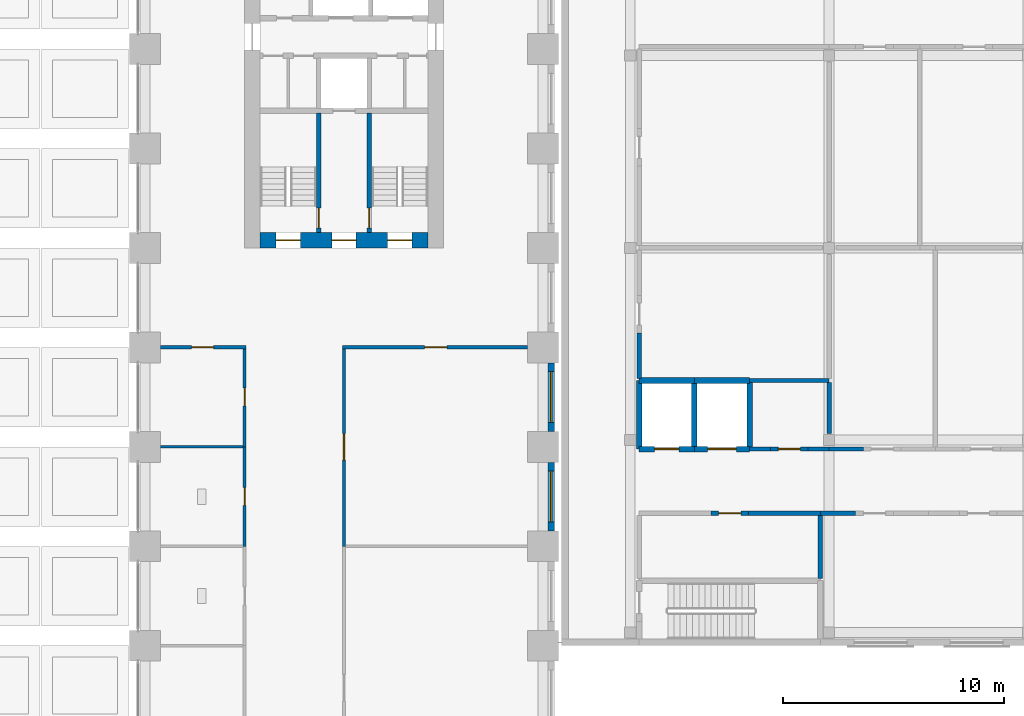
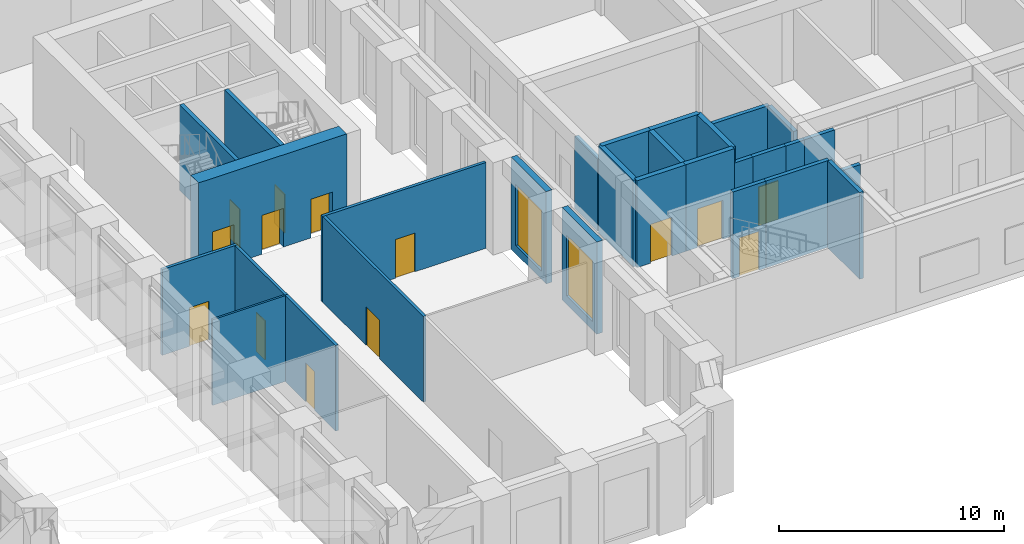
# One storey, part 10 of 24: 29 walls, 14 doors, 2 windows, 16 openings.
"""IFC4 building model written with IfcOpenShell, lengths in metres."""

from ifc_helpers import new_model, si_unit, direction, frame, frame_2d, origin, place, context, subcontext, project, spatial, rectangle, extrude, material, layer, layer_set, type_object, element, fill, save


model = new_model("IFC4")

# Units and contexts
model_context = context("Model", 3, precision=1e-05, world=origin(), true_north=direction((0.0, 1.0)))
body_context = subcontext(model_context, "Body", "Model", "MODEL_VIEW")
ifc_project = project(units=[si_unit("LENGTHUNIT", "METRE"), si_unit("AREAUNIT", "SQUARE_METRE"), si_unit("VOLUMEUNIT", "CUBIC_METRE"), si_unit("PLANEANGLEUNIT", "RADIAN"), si_unit("MASSUNIT", "GRAM", prefix="KILO")], contexts=[model_context])

# Site, building, storey
site_placement = place(None, origin())
site = spatial("IfcSite", under=ifc_project, at=site_placement, CompositionType="ELEMENT")
building_placement = place(site_placement, origin())
building = spatial("IfcBuilding", under=site, at=building_placement, Name="Girih Gate Residences", CompositionType="ELEMENT")
storey_placement = place(building_placement, frame((0.0, 0.0, 16.0)))
storey = spatial("IfcBuildingStorey", under=building, at=storey_placement, Name="L03", CompositionType="ELEMENT", Elevation=16.0)

# Wall, opening, door
ifc_material_1 = material(Name="Gypsum board on steel studs", Category="steel")
ifc_layer_1 = layer(ifc_material_1, 0.14990234375)
ifc_layer_set_1 = layer_set([ifc_layer_1], Name="Compartment wall 150 mm")
wall_type_1 = type_object("IfcWallType", Name="Compartment wall 150 mm", PredefinedType="PARTITIONING", material=ifc_layer_set_1)
wall_1_placement = place(storey_placement, frame((36.0, 13.5, 0.0), z_axis=(0.0, 0.0, 1.0), x_axis=(0.0, 1.0, 0.0)))
wall_1 = element("IfcWall", 1, at=wall_1_placement, inside=storey, type_object=wall_type_1, Name="L03 partition", PredefinedType="PARTITIONING", context=body_context, shape_type="SweptSolid", body=[
    extrude(rectangle(XDim=4.5, YDim=0.14990234375, at=frame_2d((2.25, 0.0))), origin(), (0.0, 0.0, 1.0), 4.64990234375),
])
opening_1_placement = place(wall_1_placement, frame((1.85009765625, 0.0, 0.0)))
opening_1 = element("IfcOpeningElement", 2, at=opening_1_placement, cuts=wall_1, Name="Opening D-L03-S-003", PredefinedType="OPENING", context=body_context, shape_type="SweptSolid", body=[
    extrude(rectangle(XDim=0.800048828125, YDim=2.10009765625, at=frame_2d((0.39990234375, 1.050048828125))), frame((0.0, 0.0849609375, 0.0), z_axis=(0.0, -1.0, 0.0), x_axis=(1.0, 0.0, 0.0)), (0.0, 0.0, 1.0), 0.169921875),
])
ifc_material_2 = material(Name="Timber", Category="wood")
door_type_1 = type_object("IfcDoorType", Name="WC and store door 800x2100", OperationType="SINGLE_SWING_LEFT", PredefinedType="DOOR", material=ifc_material_2)
door_1_placement = place(opening_1_placement, origin())
door_1 = element("IfcDoor", 3, at=door_1_placement, inside=storey, type_object=door_type_1, Name="Door L03-003", OperationType="SINGLE_SWING_RIGHT", OverallHeight=2.10009765625, OverallWidth=0.800048828125, PredefinedType="DOOR", context=body_context, shape_type="SweptSolid", body=[
    extrude(rectangle(XDim=0.800048828125, YDim=2.10009765625, at=frame_2d((0.39990234375, 1.050048828125))), frame((0.0, 0.02490234375, 0.0), z_axis=(0.0, -1.0, 0.0), x_axis=(1.0, 0.0, 0.0)), (0.0, 0.0, 1.0), 0.050048828125),
])
fill(opening_1, door_1)

wall_2_placement = place(storey_placement, frame((36.074951171875, 22.5, 0.0), z_axis=(0.0, 0.0, 1.0), x_axis=(-1.0, 0.0, 0.0)))
wall_2 = element("IfcWall", 4, at=wall_2_placement, inside=storey, type_object=wall_type_1, Name="L03 partition", PredefinedType="PARTITIONING", context=body_context, shape_type="SweptSolid", body=[
    extrude(rectangle(XDim=3.875, YDim=0.14990234375, at=frame_2d((1.9375, 0.0))), origin(), (0.0, 0.0, 1.0), 4.64990234375),
])
opening_2_placement = place(wall_2_placement, frame((1.47509765625, 0.0, 0.0)))
opening_2 = element("IfcOpeningElement", 5, at=opening_2_placement, cuts=wall_2, Name="Opening D-L03-S-004", PredefinedType="OPENING", context=body_context, shape_type="SweptSolid", body=[
    extrude(rectangle(XDim=1.0, YDim=2.10009765625, at=frame_2d((0.5, 1.050048828125))), frame((0.0, 0.0849609375, 0.0), z_axis=(0.0, -1.0, 0.0), x_axis=(1.0, 0.0, 0.0)), (0.0, 0.0, 1.0), 0.169921875),
])
ifc_material_3 = material(Name="Timber, fire-rated core", Category="wood")
door_type_2 = type_object("IfcDoorType", Name="Amenity door 1000x2100 FD30S", OperationType="SINGLE_SWING_LEFT", PredefinedType="DOOR", material=ifc_material_3)
door_2_placement = place(opening_2_placement, origin())
door_2 = element("IfcDoor", 6, at=door_2_placement, inside=storey, type_object=door_type_2, Name="Door L03-004", OperationType="SINGLE_SWING_RIGHT", OverallHeight=2.10009765625, OverallWidth=1.0, PredefinedType="DOOR", context=body_context, shape_type="SweptSolid", body=[
    extrude(rectangle(XDim=1.0, YDim=2.10009765625, at=frame_2d((0.5, 1.050048828125))), frame((0.0, 0.02490234375, 0.0), z_axis=(0.0, -1.0, 0.0), x_axis=(1.0, 0.0, 0.0)), (0.0, 0.0, 1.0), 0.050048828125),
])
fill(opening_2, door_2)

wall_3_placement = place(storey_placement, frame((36.0, 18.0, 0.0), z_axis=(0.0, 0.0, 1.0), x_axis=(0.0, 1.0, 0.0)))
wall_3 = element("IfcWall", 7, at=wall_3_placement, inside=storey, type_object=wall_type_1, Name="L03 partition", PredefinedType="PARTITIONING", context=body_context, shape_type="SweptSolid", body=[
    extrude(rectangle(XDim=4.425048828125, YDim=0.14990234375, at=frame_2d((2.21240234375, 0.0))), origin(), (0.0, 0.0, 1.0), 4.64990234375),
])
opening_3_placement = place(wall_3_placement, frame((1.85009765625, 0.0, 0.0)))
opening_3 = element("IfcOpeningElement", 8, at=opening_3_placement, cuts=wall_3, Name="Opening D-L03-S-005", PredefinedType="OPENING", context=body_context, shape_type="SweptSolid", body=[
    extrude(rectangle(XDim=0.800048828125, YDim=2.10009765625, at=frame_2d((0.39990234375, 1.050048828125))), frame((0.0, 0.0849609375, 0.0), z_axis=(0.0, -1.0, 0.0), x_axis=(1.0, 0.0, 0.0)), (0.0, 0.0, 1.0), 0.169921875),
])
door_3_placement = place(opening_3_placement, origin())
door_3 = element("IfcDoor", 9, at=door_3_placement, inside=storey, type_object=door_type_1, Name="Door L03-005", OperationType="SINGLE_SWING_RIGHT", OverallHeight=2.10009765625, OverallWidth=0.800048828125, PredefinedType="DOOR", context=body_context, shape_type="SweptSolid", body=[
    extrude(rectangle(XDim=0.800048828125, YDim=2.10009765625, at=frame_2d((0.39990234375, 1.050048828125))), frame((0.0, 0.02490234375, 0.0), z_axis=(0.0, -1.0, 0.0), x_axis=(1.0, 0.0, 0.0)), (0.0, 0.0, 1.0), 0.050048828125),
])
fill(opening_3, door_3)

wall_4_placement = place(storey_placement, frame((48.800048828125, 22.5, 0.0), z_axis=(0.0, 0.0, 1.0), x_axis=(-1.0, 0.0, 0.0)))
wall_4 = element("IfcWall", 10, at=wall_4_placement, inside=storey, type_object=wall_type_1, Name="L03 partition", PredefinedType="PARTITIONING", context=body_context, shape_type="SweptSolid", body=[
    extrude(rectangle(XDim=8.375, YDim=0.14990234375, at=frame_2d((4.1875, 0.0))), origin(), (0.0, 0.0, 1.0), 4.64990234375),
])
opening_4_placement = place(wall_4_placement, frame((3.64990234375, 0.0, 0.0)))
opening_4 = element("IfcOpeningElement", 11, at=opening_4_placement, cuts=wall_4, Name="Opening D-L03-S-007", PredefinedType="OPENING", context=body_context, shape_type="SweptSolid", body=[
    extrude(rectangle(XDim=1.0, YDim=2.10009765625, at=frame_2d((0.5, 1.050048828125))), frame((0.0, 0.0849609375, 0.0), z_axis=(0.0, -1.0, 0.0), x_axis=(1.0, 0.0, 0.0)), (0.0, 0.0, 1.0), 0.169921875),
])
door_4_placement = place(opening_4_placement, origin())
door_4 = element("IfcDoor", 12, at=door_4_placement, inside=storey, type_object=door_type_2, Name="Door L03-007", OperationType="SINGLE_SWING_LEFT", OverallHeight=2.10009765625, OverallWidth=1.0, PredefinedType="DOOR", context=body_context, shape_type="SweptSolid", body=[
    extrude(rectangle(XDim=1.0, YDim=2.10009765625, at=frame_2d((0.5, 1.050048828125))), frame((0.0, 0.02490234375, 0.0), z_axis=(0.0, -1.0, 0.0), x_axis=(1.0, 0.0, 0.0)), (0.0, 0.0, 1.0), 0.050048828125),
])
fill(opening_4, door_4)

wall_5_placement = place(storey_placement, frame((40.5, 22.425048828125, 0.0), z_axis=(0.0, 0.0, 1.0), x_axis=(0.0, -1.0, 0.0)))
wall_5 = element("IfcWall", 13, at=wall_5_placement, inside=storey, type_object=wall_type_1, Name="L03 partition", PredefinedType="PARTITIONING", context=body_context, shape_type="SweptSolid", body=[
    extrude(rectangle(XDim=8.925048828125, YDim=0.14990234375, at=frame_2d((4.46240234375, 0.0))), origin(), (0.0, 0.0, 1.0), 4.64990234375),
])
opening_5_placement = place(wall_5_placement, frame((3.824951171875, 0.0, 0.0)))
opening_5 = element("IfcOpeningElement", 14, at=opening_5_placement, cuts=wall_5, Name="Opening D-L03-S-008", PredefinedType="OPENING", context=body_context, shape_type="SweptSolid", body=[
    extrude(rectangle(XDim=1.199951171875, YDim=2.10009765625, at=frame_2d((0.60009765625, 1.050048828125))), frame((0.0, 0.0849609375, 0.0), z_axis=(0.0, -1.0, 0.0), x_axis=(1.0, 0.0, 0.0)), (0.0, 0.0, 1.0), 0.169921875),
])
door_type_3 = type_object("IfcDoorType", Name="Gallery fire door 1200x2100 FD30S", OperationType="SINGLE_SWING_LEFT", PredefinedType="DOOR", material=ifc_material_3)
door_5_placement = place(opening_5_placement, origin())
door_5 = element("IfcDoor", 15, at=door_5_placement, inside=storey, type_object=door_type_3, Name="Door L03-008", OperationType="SINGLE_SWING_LEFT", OverallHeight=2.10009765625, OverallWidth=1.199951171875, PredefinedType="DOOR", context=body_context, shape_type="SweptSolid", body=[
    extrude(rectangle(XDim=1.199951171875, YDim=2.10009765625, at=frame_2d((0.60009765625, 1.050048828125))), frame((0.0, 0.02490234375, 0.0), z_axis=(0.0, -1.0, 0.0), x_axis=(1.0, 0.0, 0.0)), (0.0, 0.0, 1.0), 0.050048828125),
])
fill(opening_5, door_5)

# Wall, openings, doors
ifc_material_4 = material(Name="Concrete C60/75", Category="concrete")
ifc_layer_2 = layer(ifc_material_4, 0.699951171875)
ifc_layer_set_2 = layer_set([ifc_layer_2], Name="Core wall RC 700 Concrete C60/75")
wall_type_2 = type_object("IfcWallType", Name="Core wall RC 700 Concrete C60/75", PredefinedType="SOLIDWALL", material=ifc_layer_set_2)
wall_6_placement = place(storey_placement, frame((36.699951171875, 27.35009765625, 0.0), z_axis=(0.0, 0.0, 1.0), x_axis=(1.0, 0.0, 0.0)))
wall_6 = element("IfcWall", 16, at=wall_6_placement, inside=storey, type_object=wall_type_2, Name="Core wall E-S L03", PredefinedType="SOLIDWALL", context=body_context, shape_type="SweptSolid", body=[
    extrude(rectangle(XDim=7.60009765625, YDim=0.699951171875, at=frame_2d((3.800048828125, 0.0))), origin(), (0.0, 0.0, 1.0), 5.0),
])
opening_6_placement = place(wall_6_placement, frame((5.77490234375, 0.0, 0.0)))
opening_6 = element("IfcOpeningElement", 17, at=opening_6_placement, cuts=wall_6, Name="Opening D-L03-E-011", PredefinedType="OPENING", context=body_context, shape_type="SweptSolid", body=[
    extrude(rectangle(XDim=1.10009765625, YDim=2.10009765625, at=frame_2d((0.550048828125, 1.050048828125))), frame((0.0, 0.35986328125, 0.0), z_axis=(0.0, -1.0, 0.0), x_axis=(1.0, 0.0, 0.0)), (0.0, 0.0, 1.0), 0.719970703125),
])
opening_7_placement = place(wall_6_placement, frame((3.25, 0.0, 0.0)))
opening_7 = element("IfcOpeningElement", 18, at=opening_7_placement, cuts=wall_6, Name="Opening D-L03-E-012", PredefinedType="OPENING", context=body_context, shape_type="SweptSolid", body=[
    extrude(rectangle(XDim=1.10009765625, YDim=2.10009765625, at=frame_2d((0.550048828125, 1.050048828125))), frame((0.0, 0.35986328125, 0.0), z_axis=(0.0, -1.0, 0.0), x_axis=(1.0, 0.0, 0.0)), (0.0, 0.0, 1.0), 0.719970703125),
])
opening_8_placement = place(wall_6_placement, frame((0.72509765625, 0.0, 0.0)))
opening_8 = element("IfcOpeningElement", 19, at=opening_8_placement, cuts=wall_6, Name="Opening D-L03-E-013", PredefinedType="OPENING", context=body_context, shape_type="SweptSolid", body=[
    extrude(rectangle(XDim=1.10009765625, YDim=2.10009765625, at=frame_2d((0.550048828125, 1.050048828125))), frame((0.0, 0.35986328125, 0.0), z_axis=(0.0, -1.0, 0.0), x_axis=(1.0, 0.0, 0.0)), (0.0, 0.0, 1.0), 0.719970703125),
])
ifc_material_5 = material(Name="Painted steel, fire-resisting", Category="steel")
door_type_4 = type_object("IfcDoorType", Name="Fire door 1100x2100", OperationType="SINGLE_SWING_LEFT", PredefinedType="DOOR", material=ifc_material_5)
door_6_placement = place(opening_6_placement, origin())
door_6 = element("IfcDoor", 20, at=door_6_placement, inside=storey, type_object=door_type_4, Name="L03 E core door sta-out", OperationType="SINGLE_SWING_LEFT", OverallHeight=2.10009765625, OverallWidth=1.10009765625, PredefinedType="DOOR", context=body_context, shape_type="SweptSolid", body=[
    extrude(rectangle(XDim=1.10009765625, YDim=2.10009765625, at=frame_2d((0.550048828125, 1.050048828125))), frame((0.0, 0.02490234375, 0.0), z_axis=(0.0, -1.0, 0.0), x_axis=(1.0, 0.0, 0.0)), (0.0, 0.0, 1.0), 0.050048828125),
])
fill(opening_6, door_6)
door_7_placement = place(opening_7_placement, origin())
door_7 = element("IfcDoor", 21, at=door_7_placement, inside=storey, type_object=door_type_4, Name="L03 E core door ffl-out", OperationType="SINGLE_SWING_LEFT", OverallHeight=2.10009765625, OverallWidth=1.10009765625, PredefinedType="DOOR", context=body_context, shape_type="SweptSolid", body=[
    extrude(rectangle(XDim=1.10009765625, YDim=2.10009765625, at=frame_2d((0.550048828125, 1.050048828125))), frame((0.0, 0.02490234375, 0.0), z_axis=(0.0, -1.0, 0.0), x_axis=(1.0, 0.0, 0.0)), (0.0, 0.0, 1.0), 0.050048828125),
])
fill(opening_7, door_7)
door_8_placement = place(opening_8_placement, origin())
door_8 = element("IfcDoor", 22, at=door_8_placement, inside=storey, type_object=door_type_4, Name="L03 E core door stb-out", OperationType="SINGLE_SWING_LEFT", OverallHeight=2.10009765625, OverallWidth=1.10009765625, PredefinedType="DOOR", context=body_context, shape_type="SweptSolid", body=[
    extrude(rectangle(XDim=1.10009765625, YDim=2.10009765625, at=frame_2d((0.550048828125, 1.050048828125))), frame((0.0, 0.02490234375, 0.0), z_axis=(0.0, -1.0, 0.0), x_axis=(1.0, 0.0, 0.0)), (0.0, 0.0, 1.0), 0.050048828125),
])
fill(opening_8, door_8)

# Wall, opening, door
ifc_material_6 = material(Name="Fire-rated gypsum partition")
ifc_layer_3 = layer(ifc_material_6, 0.199951171875)
ifc_layer_set_3 = layer_set([ifc_layer_3], Name="HC Corridor wall 200 EI 60")
wall_type_3 = type_object("IfcWallType", Name="HC Corridor wall 200 EI 60", PredefinedType="PARTITIONING", material=ifc_layer_set_3)
wall_7_placement = place(storey_placement, frame((58.800048828125, 15.0, 0.0), z_axis=(0.0, 0.0, 1.0), x_axis=(-1.0, 0.0, 0.0)))
wall_7 = element("IfcWall", 23, at=wall_7_placement, inside=storey, type_object=wall_type_3, Name="L03 wall x15.00/57.1", PredefinedType="PARTITIONING", context=body_context, shape_type="SweptSolid", body=[
    extrude(rectangle(XDim=1.699951171875, YDim=0.199951171875, at=frame_2d((0.85009765625, 0.0))), origin(), (0.0, 0.0, 1.0), 4.699951171875),
])
opening_9_placement = place(wall_7_placement, frame((0.35009765625, 0.0, 0.0)))
opening_9 = element("IfcOpeningElement", 24, at=opening_9_placement, cuts=wall_7, Name="Opening HC-L03-D07", PredefinedType="OPENING", context=body_context, shape_type="SweptSolid", body=[
    extrude(rectangle(XDim=1.0, YDim=2.10009765625, at=frame_2d((0.5, 1.050048828125))), frame((0.0, 0.10986328125, 0.0), z_axis=(0.0, -1.0, 0.0), x_axis=(1.0, 0.0, 0.0)), (0.0, 0.0, 1.0), 0.219970703125),
])
ifc_material_7 = material(Name="Timber door set", Category="wood")
door_type_5 = type_object("IfcDoorType", Name="HC Door 1000x2100 FD30S", OperationType="NOTDEFINED", PredefinedType="DOOR", material=ifc_material_7)
door_9_placement = place(opening_9_placement, origin())
door_9 = element("IfcDoor", 25, at=door_9_placement, inside=storey, type_object=door_type_5, Name="L03 Cleaners store door", OperationType="SINGLE_SWING_RIGHT", OverallHeight=2.10009765625, OverallWidth=1.0, PredefinedType="DOOR", context=body_context, shape_type="SweptSolid", body=[
    extrude(rectangle(XDim=1.0, YDim=2.10009765625, at=frame_2d((0.5, 1.050048828125))), frame((0.0, 0.02490234375, 0.0), z_axis=(0.0, -1.0, 0.0), x_axis=(1.0, 0.0, 0.0)), (0.0, 0.0, 1.0), 0.050048828125),
])
fill(opening_9, door_9)

# Walls
wall_8_placement = place(storey_placement, frame((58.800048828125, 15.0, 0.0), z_axis=(0.0, 0.0, 1.0), x_axis=(1.0, 0.0, 0.0)))
element("IfcWall", 26, at=wall_8_placement, inside=storey, type_object=wall_type_3, Name="L03 wall x15.00/58.8", PredefinedType="PARTITIONING", context=body_context, shape_type="SweptSolid", body=[
    extrude(rectangle(XDim=3.25, YDim=0.199951171875, at=frame_2d((1.625, 0.0))), origin(), (0.0, 0.0, 1.0), 4.699951171875),
])
wall_9_placement = place(storey_placement, frame((62.050048828125, 15.0, 0.0), z_axis=(0.0, 0.0, 1.0), x_axis=(1.0, 0.0, 0.0)))
element("IfcWall", 27, at=wall_9_placement, inside=storey, type_object=wall_type_3, Name="L03 wall x15.00/62.0", PredefinedType="PARTITIONING", context=body_context, shape_type="SweptSolid", body=[
    extrude(rectangle(XDim=1.599853515625, YDim=0.199951171875, at=frame_2d((0.7998046875, 0.0))), origin(), (0.0, 0.0, 1.0), 3.89990234375),
])
wall_10_placement = place(storey_placement, frame((58.85009765625, 17.89990234375, 0.0), z_axis=(0.0, 0.0, 1.0), x_axis=(1.0, 0.0, 0.0)))
element("IfcWall", 28, at=wall_10_placement, inside=storey, type_object=wall_type_3, Name="L03 wall x17.90/58.9", PredefinedType="PARTITIONING", context=body_context, shape_type="SweptSolid", body=[
    extrude(rectangle(XDim=0.949951171875, YDim=0.199951171875, at=frame_2d((0.47509765625, 0.0))), origin(), (0.0, 0.0, 1.0), 3.89990234375),
])

# Wall, opening, door
wall_11_placement = place(storey_placement, frame((59.800048828125, 17.89990234375, 0.0), z_axis=(0.0, 0.0, 1.0), x_axis=(1.0, 0.0, 0.0)))
wall_11 = element("IfcWall", 29, at=wall_11_placement, inside=storey, type_object=wall_type_3, Name="L03 wall x17.90/59.8", PredefinedType="PARTITIONING", context=body_context, shape_type="SweptSolid", body=[
    extrude(rectangle(XDim=1.699951171875, YDim=0.199951171875, at=frame_2d((0.85009765625, 0.0))), origin(), (0.0, 0.0, 1.0), 3.89990234375),
])
opening_10_placement = place(wall_11_placement, frame((0.35009765625, 0.0, 0.0)))
opening_10 = element("IfcOpeningElement", 30, at=opening_10_placement, cuts=wall_11, Name="Opening HC-L03-D14", PredefinedType="OPENING", context=body_context, shape_type="SweptSolid", body=[
    extrude(rectangle(XDim=1.0, YDim=2.10009765625, at=frame_2d((0.5, 1.050048828125))), frame((0.0, 0.10986328125, 0.0), z_axis=(0.0, -1.0, 0.0), x_axis=(1.0, 0.0, 0.0)), (0.0, 0.0, 1.0), 0.219970703125),
])
ifc_material_8 = material(Name="Steel door set", Category="steel")
door_type_6 = type_object("IfcDoorType", Name="HC Door 1000x2100 FD60", OperationType="NOTDEFINED", PredefinedType="DOOR", material=ifc_material_8)
door_10_placement = place(opening_10_placement, origin())
door_10 = element("IfcDoor", 31, at=door_10_placement, inside=storey, type_object=door_type_6, Name="L03 Communications riser door", OperationType="SINGLE_SWING_RIGHT", OverallHeight=2.10009765625, OverallWidth=1.0, PredefinedType="DOOR", context=body_context, shape_type="SweptSolid", body=[
    extrude(rectangle(XDim=1.0, YDim=2.10009765625, at=frame_2d((0.5, 1.050048828125))), frame((0.0, 0.02490234375, 0.0), z_axis=(0.0, -1.0, 0.0), x_axis=(1.0, 0.0, 0.0)), (0.0, 0.0, 1.0), 0.050048828125),
])
fill(opening_10, door_10)

# Walls
wall_12_placement = place(storey_placement, frame((61.5, 17.89990234375, 0.0), z_axis=(0.0, 0.0, 1.0), x_axis=(1.0, 0.0, 0.0)))
element("IfcWall", 32, at=wall_12_placement, inside=storey, type_object=wall_type_3, Name="L03 wall x17.90/61.5", PredefinedType="PARTITIONING", context=body_context, shape_type="SweptSolid", body=[
    extrude(rectangle(XDim=0.949951171875, YDim=0.199951171875, at=frame_2d((0.47509765625, 0.0))), origin(), (0.0, 0.0, 1.0), 3.89990234375),
])
wall_13_placement = place(storey_placement, frame((62.449951171875, 17.89990234375, 0.0), z_axis=(0.0, 0.0, 1.0), x_axis=(1.0, 0.0, 0.0)))
element("IfcWall", 33, at=wall_13_placement, inside=storey, type_object=wall_type_3, Name="L03 wall x17.90/62.5", PredefinedType="PARTITIONING", context=body_context, shape_type="SweptSolid", body=[
    extrude(rectangle(XDim=1.550048828125, YDim=0.199951171875, at=frame_2d((0.77490234375, 0.0))), origin(), (0.0, 0.0, 1.0), 3.89990234375),
])
wall_14_placement = place(storey_placement, frame((58.85009765625, 21.0, 0.0), z_axis=(0.0, 0.0, 1.0), x_axis=(1.0, 0.0, 0.0)))
element("IfcWall", 34, at=wall_14_placement, inside=storey, type_object=wall_type_3, Name="L03 wall x21.00/58.9", PredefinedType="PARTITIONING", context=body_context, shape_type="SweptSolid", body=[
    extrude(rectangle(XDim=3.599853515625, YDim=0.199951171875, at=frame_2d((1.7998046875, 0.0))), origin(), (0.0, 0.0, 1.0), 3.89990234375),
])
wall_15_placement = place(storey_placement, frame((53.85009765625, 21.10009765625, 0.0), z_axis=(0.0, 0.0, 1.0), x_axis=(0.0, 1.0, 0.0)))
element("IfcWall", 35, at=wall_15_placement, inside=storey, type_object=wall_type_3, Name="L03 wall y53.85/21.1", PredefinedType="PARTITIONING", context=body_context, shape_type="SweptSolid", body=[
    extrude(rectangle(XDim=2.0498046875, YDim=0.199951171875, at=frame_2d((1.02490234375, 0.0))), origin(), (0.0, 0.0, 1.0), 3.89990234375),
])
wall_16_placement = place(storey_placement, frame((62.449951171875, 18.60009765625, 0.0), z_axis=(0.0, 0.0, 1.0), x_axis=(0.0, 1.0, 0.0)))
element("IfcWall", 36, at=wall_16_placement, inside=storey, type_object=wall_type_3, Name="L03 wall y62.45/18.6", PredefinedType="PARTITIONING", context=body_context, shape_type="SweptSolid", body=[
    extrude(rectangle(XDim=2.2998046875, YDim=0.199951171875, at=frame_2d((1.14990234375, 0.0))), origin(), (0.0, 0.0, 1.0), 3.89990234375),
])
ifc_material_9 = material(Name="Gypsum partition")
ifc_layer_4 = layer(ifc_material_9, 0.199951171875)
ifc_layer_set_4 = layer_set([ifc_layer_4], Name="HC Room partition 200 EI 30")
wall_type_4 = type_object("IfcWallType", Name="HC Room partition 200 EI 30", PredefinedType="PARTITIONING", material=ifc_layer_set_4)
wall_17_placement = place(storey_placement, frame((62.050048828125, 12.050048828125, 0.0), z_axis=(0.0, 0.0, 1.0), x_axis=(0.0, 1.0, 0.0)))
element("IfcWall", 37, at=wall_17_placement, inside=storey, type_object=wall_type_4, Name="L03 wall y62.05/12.1", PredefinedType="PARTITIONING", context=body_context, shape_type="SweptSolid", body=[
    extrude(rectangle(XDim=2.849853515625, YDim=0.199951171875, at=frame_2d((1.4248046875, 0.0))), origin(), (0.0, 0.0, 1.0), 4.699951171875),
])

# Wall, opening, door
ifc_material_10 = material(Name="Concrete C40/50", Category="concrete")
ifc_layer_5 = layer(ifc_material_10, 0.25)
ifc_layer_set_5 = layer_set([ifc_layer_5], Name="HC Shaft wall 250 C40/50")
wall_type_5 = type_object("IfcWallType", Name="HC Shaft wall 250 C40/50", PredefinedType="SHEAR", material=ifc_layer_set_5)
wall_18_placement = place(storey_placement, frame((56.35009765625, 17.89990234375, 0.0), z_axis=(0.0, 0.0, 1.0), x_axis=(-1.0, 0.0, 0.0)))
wall_18 = element("IfcWall", 38, at=wall_18_placement, inside=storey, type_object=wall_type_5, Name="L03 wall x17.90/53.9", PredefinedType="SHEAR", context=body_context, shape_type="SweptSolid", body=[
    extrude(rectangle(XDim=2.5, YDim=0.25, at=frame_2d((1.25, 0.0))), origin(), (0.0, 0.0, 1.0), 4.699951171875),
])
opening_11_placement = place(wall_18_placement, frame((0.699951171875, 0.0, 0.0)))
opening_11 = element("IfcOpeningElement", 39, at=opening_11_placement, cuts=wall_18, Name="Opening HC-L03-D03", PredefinedType="OPENING", context=body_context, shape_type="SweptSolid", body=[
    extrude(rectangle(XDim=1.10009765625, YDim=2.10009765625, at=frame_2d((0.550048828125, 1.050048828125))), frame((0.0, 0.135009765625, 0.0), z_axis=(0.0, -1.0, 0.0), x_axis=(1.0, 0.0, 0.0)), (0.0, 0.0, 1.0), 0.27001953125),
])
ifc_material_11 = material(Name="Stainless steel door set", Category="steel")
door_type_7 = type_object("IfcDoorType", Name="HC Lift landing door 1100x2100", OperationType="NOTDEFINED", PredefinedType="DOOR", material=ifc_material_11)
door_11_placement = place(opening_11_placement, origin())
door_11 = element("IfcDoor", 40, at=door_11_placement, inside=storey, type_object=door_type_7, Name="L03 Lift 1 landing door", OperationType="SLIDING_TO_RIGHT", OverallHeight=2.10009765625, OverallWidth=1.10009765625, PredefinedType="DOOR", context=body_context, shape_type="SweptSolid", body=[
    extrude(rectangle(XDim=1.10009765625, YDim=2.10009765625, at=frame_2d((0.550048828125, 1.050048828125))), frame((0.0, 0.02490234375, 0.0), z_axis=(0.0, -1.0, 0.0), x_axis=(1.0, 0.0, 0.0)), (0.0, 0.0, 1.0), 0.050048828125),
])
fill(opening_11, door_11)

wall_19_placement = place(storey_placement, frame((58.85009765625, 17.89990234375, 0.0), z_axis=(0.0, 0.0, 1.0), x_axis=(-1.0, 0.0, 0.0)))
wall_19 = element("IfcWall", 41, at=wall_19_placement, inside=storey, type_object=wall_type_5, Name="L03 wall x17.90/56.4", PredefinedType="SHEAR", context=body_context, shape_type="SweptSolid", body=[
    extrude(rectangle(XDim=2.5, YDim=0.25, at=frame_2d((1.25, 0.0))), origin(), (0.0, 0.0, 1.0), 4.699951171875),
])
opening_12_placement = place(wall_19_placement, frame((0.60009765625, 0.0, 0.0)))
opening_12 = element("IfcOpeningElement", 42, at=opening_12_placement, cuts=wall_19, Name="Opening HC-L03-D04", PredefinedType="OPENING", context=body_context, shape_type="SweptSolid", body=[
    extrude(rectangle(XDim=1.300048828125, YDim=2.10009765625, at=frame_2d((0.64990234375, 1.050048828125))), frame((0.0, 0.135009765625, 0.0), z_axis=(0.0, -1.0, 0.0), x_axis=(1.0, 0.0, 0.0)), (0.0, 0.0, 1.0), 0.27001953125),
])
door_type_8 = type_object("IfcDoorType", Name="HC Bed lift landing door 1300x2100", OperationType="NOTDEFINED", PredefinedType="DOOR", material=ifc_material_11)
door_12_placement = place(opening_12_placement, origin())
door_12 = element("IfcDoor", 43, at=door_12_placement, inside=storey, type_object=door_type_8, Name="L03 Lift 2 landing door", OperationType="SLIDING_TO_LEFT", OverallHeight=2.10009765625, OverallWidth=1.300048828125, PredefinedType="DOOR", context=body_context, shape_type="SweptSolid", body=[
    extrude(rectangle(XDim=1.300048828125, YDim=2.10009765625, at=frame_2d((0.64990234375, 1.050048828125))), frame((0.0, 0.02490234375, 0.0), z_axis=(0.0, -1.0, 0.0), x_axis=(1.0, 0.0, 0.0)), (0.0, 0.0, 1.0), 0.050048828125),
])
fill(opening_12, door_12)

# Walls
for number, where, z_axis, x_axis, name in (
    (44, (53.85009765625, 21.0, 0.0), (0.0, 0.0, 1.0), (1.0, 0.0, 0.0), "L03 wall x21.00/53.9"),
    (45, (56.35009765625, 21.0, 0.0), (0.0, 0.0, 1.0), (1.0, 0.0, 0.0), "L03 wall x21.00/56.4"),
):
    element("IfcWall", number, at=place(storey_placement, frame(where, z_axis=z_axis, x_axis=x_axis)), inside=storey, type_object=wall_type_5, Name=name, PredefinedType="SHEAR", context=body_context, shape_type="SweptSolid", body=[
        extrude(rectangle(XDim=2.5, YDim=0.25, at=frame_2d((1.25, 0.0))), origin(), (0.0, 0.0, 1.0), 4.699951171875),
    ])
for number, where, z_axis, x_axis, name in (
    (46, (53.85009765625, 17.89990234375, 0.0), (0.0, 0.0, 1.0), (0.0, 1.0, 0.0), "L03 wall y53.85/17.9"),
    (47, (56.35009765625, 17.89990234375, 0.0), (0.0, 0.0, 1.0), (0.0, 1.0, 0.0), "L03 wall y56.35/17.9"),
    (48, (58.85009765625, 17.89990234375, 0.0), (0.0, 0.0, 1.0), (0.0, 1.0, 0.0), "L03 wall y58.85/17.9"),
):
    element("IfcWall", number, at=place(storey_placement, frame(where, z_axis=z_axis, x_axis=x_axis)), inside=storey, type_object=wall_type_5, Name=name, PredefinedType="SHEAR", context=body_context, shape_type="SweptSolid", body=[
        extrude(rectangle(XDim=3.10009765625, YDim=0.25, at=frame_2d((1.550048828125, 0.0))), origin(), (0.0, 0.0, 1.0), 4.699951171875),
    ])
ifc_layer_6 = layer(ifc_material_1, 0.10009765625)
ifc_layer_set_6 = layer_set([ifc_layer_6], Name="Partition 100 mm")
wall_type_6 = type_object("IfcWallType", Name="Partition 100 mm", PredefinedType="PARTITIONING", material=ifc_layer_set_6)
wall_20_placement = place(storey_placement, frame((32.199951171875, 18.0, 0.0), z_axis=(0.0, 0.0, 1.0), x_axis=(1.0, 0.0, 0.0)))
element("IfcWall", 49, at=wall_20_placement, inside=storey, type_object=wall_type_6, Name="L03 partition", PredefinedType="PARTITIONING", context=body_context, shape_type="SweptSolid", body=[
    extrude(rectangle(XDim=3.72509765625, YDim=0.10009765625, at=frame_2d((1.862548828125, 0.0))), origin(), (0.0, 0.0, 1.0), 4.64990234375),
])

# Wall, opening, window
ifc_material_12 = material(Name="Precast concrete C50/60", Category="concrete")
ifc_layer_7 = layer(ifc_material_12, 0.080078125, Name="Outer leaf")
ifc_material_13 = material(Name="Rigid PIR insulation")
ifc_layer_8 = layer(ifc_material_13, 0.14990234375, Name="Insulation")
ifc_material_14 = material(Name="Precast concrete C40/50", Category="concrete")
ifc_layer_9 = layer(ifc_material_14, 0.070068359375, Name="Inner leaf")
ifc_layer_set_7 = layer_set([ifc_layer_7, ifc_layer_8, ifc_layer_9], Name="Precast concrete C50/60 external wall 300")
wall_type_7 = type_object("IfcWallType", Name="Precast concrete C50/60 external wall 300", PredefinedType="SOLIDWALL", material=ifc_layer_set_7)
wall_21_placement = place(storey_placement, frame((49.875, 17.300048828125, 0.0), z_axis=(0.0, 0.0, 1.0), x_axis=(0.0, -1.0, 0.0)))
wall_21 = element("IfcWall", 50, at=wall_21_placement, inside=storey, type_object=wall_type_7, Name="External wall E0495_0045.2", PredefinedType="SOLIDWALL", context=body_context, shape_type="SweptSolid", body=[
    extrude(rectangle(XDim=3.10009765625, YDim=0.300048828125, at=frame_2d((1.550048828125, 0.0))), origin(), (0.0, 0.0, 1.0), 5.0),
])
opening_13_placement = place(wall_21_placement, frame((0.39990234375, 0.0, 0.449951171875)))
opening_13 = element("IfcOpeningElement", 51, at=opening_13_placement, cuts=wall_21, Name="Opening W-3", PredefinedType="OPENING", context=body_context, shape_type="SweptSolid", body=[
    extrude(rectangle(XDim=2.300048828125, YDim=3.300048828125, at=frame_2d((1.14990234375, 1.64990234375))), frame((0.0, 0.159912109375, 0.0), z_axis=(0.0, -1.0, 0.0), x_axis=(1.0, 0.0, 0.0)), (0.0, 0.0, 1.0), 0.320068359375),
])
ifc_material_15 = material(Name="Double glazing in aluminium frame", Category="aluminium")
window_type = type_object("IfcWindowType", Name="Window W-3 2300x3300", PartitioningType="SINGLE_PANEL", PredefinedType="WINDOW", material=ifc_material_15)
window_1_placement = place(opening_13_placement, origin())
window_1 = element("IfcWindow", 52, at=window_1_placement, inside=storey, type_object=window_type, Name="Window W-3 E0495_0045.2", OverallHeight=3.300048828125, OverallWidth=2.300048828125, PartitioningType="SINGLE_PANEL", PredefinedType="WINDOW", context=body_context, shape_type="SweptSolid", body=[
    extrude(rectangle(XDim=2.300048828125, YDim=3.300048828125, at=frame_2d((1.14990234375, 1.64990234375))), frame((0.0, 0.030029296875, 0.0), z_axis=(0.0, -1.0, 0.0), x_axis=(1.0, 0.0, 0.0)), (0.0, 0.0, 1.0), 0.06005859375),
])
fill(opening_13, window_1)

wall_22_placement = place(storey_placement, frame((49.875, 21.800048828125, 0.0), z_axis=(0.0, 0.0, 1.0), x_axis=(0.0, -1.0, 0.0)))
wall_22 = element("IfcWall", 53, at=wall_22_placement, inside=storey, type_object=wall_type_7, Name="External wall E0495_0045.3", PredefinedType="SOLIDWALL", context=body_context, shape_type="SweptSolid", body=[
    extrude(rectangle(XDim=3.10009765625, YDim=0.300048828125, at=frame_2d((1.550048828125, 0.0))), origin(), (0.0, 0.0, 1.0), 5.0),
])
opening_14_placement = place(wall_22_placement, frame((0.39990234375, 0.0, 0.449951171875)))
opening_14 = element("IfcOpeningElement", 54, at=opening_14_placement, cuts=wall_22, Name="Opening W-3", PredefinedType="OPENING", context=body_context, shape_type="SweptSolid", body=[
    extrude(rectangle(XDim=2.300048828125, YDim=3.300048828125, at=frame_2d((1.14990234375, 1.64990234375))), frame((0.0, 0.159912109375, 0.0), z_axis=(0.0, -1.0, 0.0), x_axis=(1.0, 0.0, 0.0)), (0.0, 0.0, 1.0), 0.320068359375),
])
window_2_placement = place(opening_14_placement, origin())
window_2 = element("IfcWindow", 55, at=window_2_placement, inside=storey, type_object=window_type, Name="Window W-3 E0495_0045.3", OverallHeight=3.300048828125, OverallWidth=2.300048828125, PartitioningType="SINGLE_PANEL", PredefinedType="WINDOW", context=body_context, shape_type="SweptSolid", body=[
    extrude(rectangle(XDim=2.300048828125, YDim=3.300048828125, at=frame_2d((1.14990234375, 1.64990234375))), frame((0.0, 0.030029296875, 0.0), z_axis=(0.0, -1.0, 0.0), x_axis=(1.0, 0.0, 0.0)), (0.0, 0.0, 1.0), 0.06005859375),
])
fill(opening_14, window_2)

# Wall, opening, door
ifc_layer_10 = layer(ifc_material_10, 0.199951171875)
ifc_layer_set_8 = layer_set([ifc_layer_10], Name="Shaft wall 200")
wall_type_8 = type_object("IfcWallType", Name="Shaft wall 200", PredefinedType="SOLIDWALL", material=ifc_layer_set_8)
wall_23_placement = place(storey_placement, frame((41.64990234375, 27.699951171875, 0.0), z_axis=(0.0, 0.0, 1.0), x_axis=(0.0, 1.0, 0.0)))
wall_23 = element("IfcWall", 56, at=wall_23_placement, inside=storey, type_object=wall_type_8, Name="L03 E core wall V1a", PredefinedType="SOLIDWALL", context=body_context, shape_type="SweptSolid", body=[
    extrude(rectangle(XDim=5.400146484375, YDim=0.199951171875, at=frame_2d((2.7001953125, 0.0))), origin(), (0.0, 0.0, 1.0), 4.64990234375),
])
opening_15_placement = place(wall_23_placement, frame((0.199951171875, 0.0, 0.0)))
opening_15 = element("IfcOpeningElement", 57, at=opening_15_placement, cuts=wall_23, Name="Opening D-L03-E-001", PredefinedType="OPENING", context=body_context, shape_type="SweptSolid", body=[
    extrude(rectangle(XDim=0.89990234375, YDim=2.10009765625, at=frame_2d((0.449951171875, 1.050048828125))), frame((0.0, 0.10986328125, 0.0), z_axis=(0.0, -1.0, 0.0), x_axis=(1.0, 0.0, 0.0)), (0.0, 0.0, 1.0), 0.219970703125),
])
door_type_9 = type_object("IfcDoorType", Name="Fire door 900x2100", OperationType="SINGLE_SWING_LEFT", PredefinedType="DOOR", material=ifc_material_5)
door_13_placement = place(opening_15_placement, origin())
door_13 = element("IfcDoor", 58, at=door_13_placement, inside=storey, type_object=door_type_9, Name="L03 E door stair 1 to firefighting lobby", OperationType="SINGLE_SWING_LEFT", OverallHeight=2.10009765625, OverallWidth=0.89990234375, PredefinedType="DOOR", context=body_context, shape_type="SweptSolid", body=[
    extrude(rectangle(XDim=0.89990234375, YDim=2.10009765625, at=frame_2d((0.449951171875, 1.050048828125))), frame((0.0, 0.02490234375, 0.0), z_axis=(0.0, -1.0, 0.0), x_axis=(1.0, 0.0, 0.0)), (0.0, 0.0, 1.0), 0.050048828125),
])
fill(opening_15, door_13)

wall_24_placement = place(storey_placement, frame((39.35009765625, 27.699951171875, 0.0), z_axis=(0.0, 0.0, 1.0), x_axis=(0.0, 1.0, 0.0)))
wall_24 = element("IfcWall", 59, at=wall_24_placement, inside=storey, type_object=wall_type_8, Name="L03 E core wall V2a", PredefinedType="SOLIDWALL", context=body_context, shape_type="SweptSolid", body=[
    extrude(rectangle(XDim=5.400146484375, YDim=0.199951171875, at=frame_2d((2.7001953125, 0.0))), origin(), (0.0, 0.0, 1.0), 4.64990234375),
])
opening_16_placement = place(wall_24_placement, frame((0.199951171875, 0.0, 0.0)))
opening_16 = element("IfcOpeningElement", 60, at=opening_16_placement, cuts=wall_24, Name="Opening D-L03-E-002", PredefinedType="OPENING", context=body_context, shape_type="SweptSolid", body=[
    extrude(rectangle(XDim=0.89990234375, YDim=2.10009765625, at=frame_2d((0.449951171875, 1.050048828125))), frame((0.0, 0.10986328125, 0.0), z_axis=(0.0, -1.0, 0.0), x_axis=(1.0, 0.0, 0.0)), (0.0, 0.0, 1.0), 0.219970703125),
])
door_14_placement = place(opening_16_placement, origin())
door_14 = element("IfcDoor", 61, at=door_14_placement, inside=storey, type_object=door_type_9, Name="L03 E door stair 2 to firefighting lobby", OperationType="SINGLE_SWING_LEFT", OverallHeight=2.10009765625, OverallWidth=0.89990234375, PredefinedType="DOOR", context=body_context, shape_type="SweptSolid", body=[
    extrude(rectangle(XDim=0.89990234375, YDim=2.10009765625, at=frame_2d((0.449951171875, 1.050048828125))), frame((0.0, 0.02490234375, 0.0), z_axis=(0.0, -1.0, 0.0), x_axis=(1.0, 0.0, 0.0)), (0.0, 0.0, 1.0), 0.050048828125),
])
fill(opening_16, door_14)

save(model, "model.ifc")
